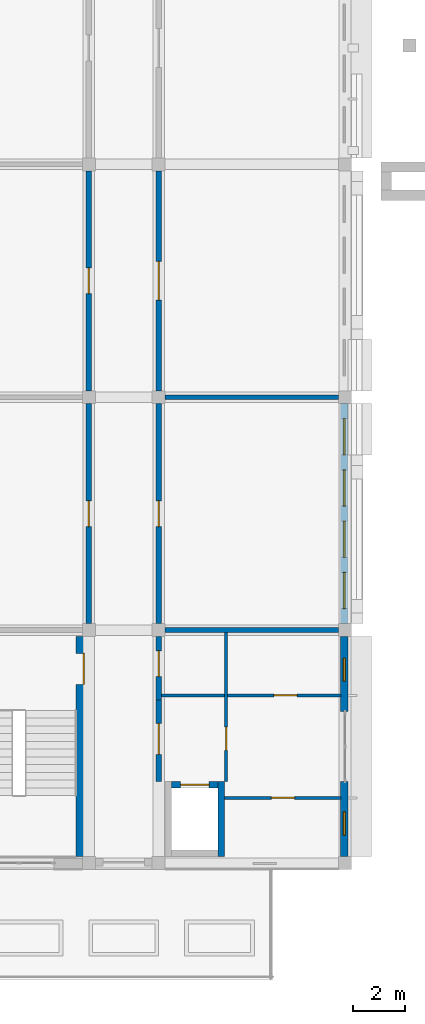
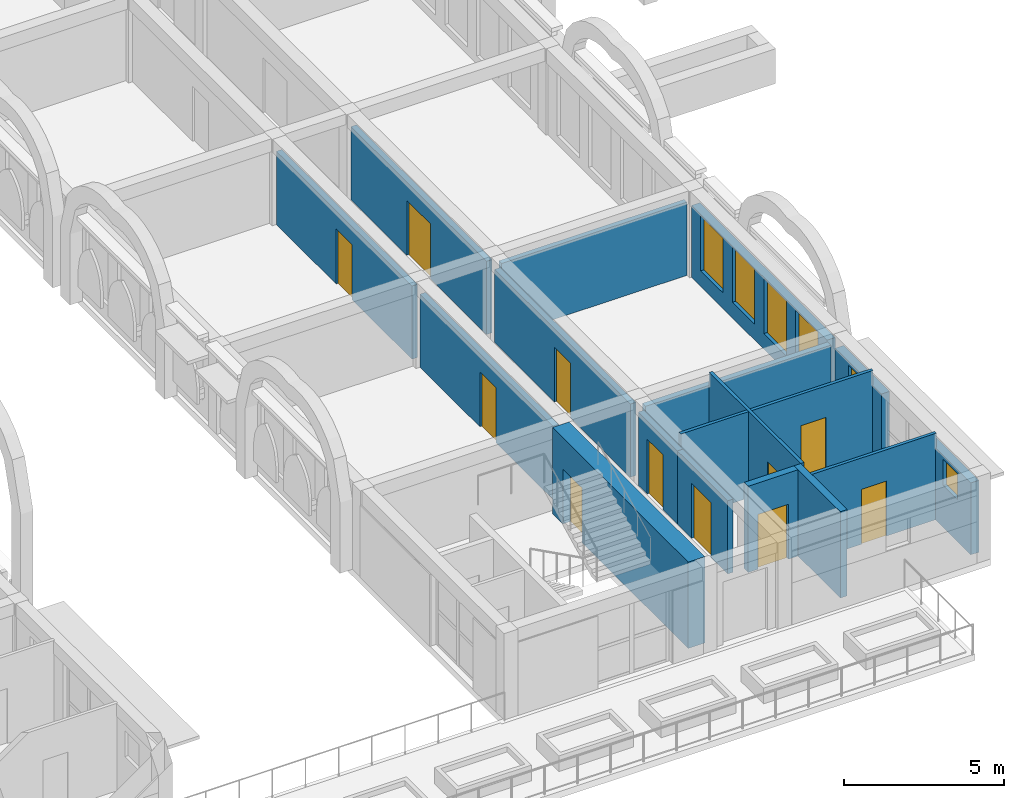
# One storey, part 56 of 82: 17 walls, 11 doors, 6 windows, 17 openings.
"""IFC4 building model written with IfcOpenShell, lengths in metres."""

from ifc_helpers import new_model, si_unit, direction, frame, frame_2d, origin, place, context, subcontext, project, spatial, rectangle, extrude, material, layer, layer_set, type_object, element, fill, save


model = new_model("IFC4")

# Units and contexts
model_context = context("Model", 3, precision=1e-05, world=origin(), true_north=direction((0.0, 1.0)))
body_context = subcontext(model_context, "Body", "Model", "MODEL_VIEW")
ifc_project = project(units=[si_unit("LENGTHUNIT", "METRE"), si_unit("AREAUNIT", "SQUARE_METRE"), si_unit("VOLUMEUNIT", "CUBIC_METRE"), si_unit("PLANEANGLEUNIT", "RADIAN"), si_unit("MASSUNIT", "GRAM", prefix="KILO")], contexts=[model_context])

# Site, building, storey
site_placement = place(None, origin())
site = spatial("IfcSite", under=ifc_project, at=site_placement, CompositionType="ELEMENT")
building_placement = place(site_placement, origin())
building = spatial("IfcBuilding", under=site, at=building_placement, Name="Elbe Cascade School", CompositionType="ELEMENT")
storey_placement = place(building_placement, frame((0.0, 0.0, 4.5)))
storey = spatial("IfcBuildingStorey", under=building, at=storey_placement, Name="L01", CompositionType="ELEMENT", Elevation=4.5)

# Wall
ifc_material_1 = material(Name="Masonry - lime-sand block, plastered", Category="masonry")
ifc_layer_1 = layer(ifc_material_1, 0.175048828125)
ifc_layer_set_1 = layer_set([ifc_layer_1], Name="Masonry - lime-sand block, plastered")
wall_type_1 = type_object("IfcWallType", Name="Bar classroom partition wall lime-sand block 175", PredefinedType="PARTITIONING", material=ifc_layer_set_1)
wall_1_placement = place(storey_placement, frame((167.949951171875, 24.0, 0.0), z_axis=(0.0, 0.0, 1.0), x_axis=(1.0, 0.0, 0.0)))
element("IfcWall", 1, at=wall_1_placement, inside=storey, type_object=wall_type_1, Name="Bar classroom partition wall lime-sand block 175", PredefinedType="PARTITIONING", context=body_context, shape_type="SweptSolid", body=[
    extrude(rectangle(XDim=6.699951171875, YDim=0.175048828125, at=frame_2d((3.35009765625, 0.0))), origin(), (0.0, 0.0, 1.0), 2.800048828125),
])

# Wall, opening, door
ifc_material_2 = material(Name="Masonry - lime-sand block, plastered", Category="masonry")
ifc_layer_2 = layer(ifc_material_2, 0.199951171875)
ifc_layer_set_2 = layer_set([ifc_layer_2], Name="Masonry - lime-sand block, plastered")
wall_type_2 = type_object("IfcWallType", Name="Bar corridor wall lime-sand block 200 EI 30", PredefinedType="PARTITIONING", material=ifc_layer_set_2)
wall_2_placement = place(storey_placement, frame((167.699951171875, 12.300048828125, 0.0), z_axis=(0.0, 0.0, 1.0), x_axis=(0.0, -1.0, 0.0)))
wall_2 = element("IfcWall", 2, at=wall_2_placement, inside=storey, type_object=wall_type_2, Name="Bar corridor wall lime-sand block 200 EI 30", PredefinedType="PARTITIONING", context=body_context, shape_type="SweptSolid", body=[
    extrude(rectangle(XDim=3.150146484375, YDim=0.199951171875, at=frame_2d((1.5751953125, 0.0))), origin(), (0.0, 0.0, 1.0), 2.800048828125),
])
opening_1_placement = place(wall_2_placement, frame((0.89990234375, 0.0, 0.0)))
opening_1 = element("IfcOpeningElement", 3, at=opening_1_placement, cuts=wall_2, Name="Opening D1.088", PredefinedType="OPENING", context=body_context, shape_type="SweptSolid", body=[
    extrude(rectangle(XDim=1.199951171875, YDim=2.10009765625, at=frame_2d((0.60009765625, 1.050048828125))), frame((0.0, 0.10986328125, 0.0), z_axis=(0.0, -1.0, 0.0), x_axis=(1.0, 0.0, 0.0)), (0.0, 0.0, 1.0), 0.219970703125),
])
ifc_material_3 = material(Name="Timber door leaf, fire-resisting and smoke-tight, steel frame", Category="steel")
door_type_1 = type_object("IfcDoorType", Name="Bar door FD30S 1200x2100", OperationType="NOTDEFINED", PredefinedType="DOOR", material=ifc_material_3)
door_1_placement = place(opening_1_placement, origin())
door_1 = element("IfcDoor", 4, at=door_1_placement, inside=storey, type_object=door_type_1, Name="Door D1.06", OperationType="SINGLE_SWING_LEFT", OverallHeight=2.10009765625, OverallWidth=1.199951171875, PredefinedType="DOOR", context=body_context, shape_type="SweptSolid", body=[
    extrude(rectangle(XDim=1.199951171875, YDim=2.10009765625, at=frame_2d((0.60009765625, 1.050048828125))), frame((0.0, 0.02490234375, 0.0), z_axis=(0.0, -1.0, 0.0), x_axis=(1.0, 0.0, 0.0)), (0.0, 0.0, 1.0), 0.050048828125),
])
fill(opening_1, door_1)

wall_3_placement = place(storey_placement, frame((167.699951171875, 12.300048828125, 0.0), z_axis=(0.0, 0.0, 1.0), x_axis=(0.0, 1.0, 0.0)))
wall_3 = element("IfcWall", 5, at=wall_3_placement, inside=storey, type_object=wall_type_2, Name="Bar corridor wall lime-sand block 200 EI 30", PredefinedType="PARTITIONING", context=body_context, shape_type="SweptSolid", body=[
    extrude(rectangle(XDim=2.449951171875, YDim=0.199951171875, at=frame_2d((1.22509765625, 0.0))), origin(), (0.0, 0.0, 1.0), 2.800048828125),
])
opening_2_placement = place(wall_3_placement, frame((0.89990234375, 0.0, 0.0)))
opening_2 = element("IfcOpeningElement", 6, at=opening_2_placement, cuts=wall_3, Name="Opening D1.092", PredefinedType="OPENING", context=body_context, shape_type="SweptSolid", body=[
    extrude(rectangle(XDim=1.0, YDim=2.10009765625, at=frame_2d((0.5, 1.050048828125))), frame((0.0, 0.10986328125, 0.0), z_axis=(0.0, -1.0, 0.0), x_axis=(1.0, 0.0, 0.0)), (0.0, 0.0, 1.0), 0.219970703125),
])
ifc_material_4 = material(Name="Timber door leaf, fire-resisting, steel frame", Category="steel")
door_type_2 = type_object("IfcDoorType", Name="Bar door FD30 1000x2100", OperationType="NOTDEFINED", PredefinedType="DOOR", material=ifc_material_4)
door_2_placement = place(opening_2_placement, origin())
door_2 = element("IfcDoor", 7, at=door_2_placement, inside=storey, type_object=door_type_2, Name="Door D1.10", OperationType="SINGLE_SWING_RIGHT", OverallHeight=2.10009765625, OverallWidth=1.0, PredefinedType="DOOR", context=body_context, shape_type="SweptSolid", body=[
    extrude(rectangle(XDim=1.0, YDim=2.10009765625, at=frame_2d((0.5, 1.050048828125))), frame((0.0, 0.02490234375, 0.0), z_axis=(0.0, -1.0, 0.0), x_axis=(1.0, 0.0, 0.0)), (0.0, 0.0, 1.0), 0.050048828125),
])
fill(opening_2, door_2)

wall_4_placement = place(storey_placement, frame((165.0, 15.25, 0.0), z_axis=(0.0, 0.0, 1.0), x_axis=(0.0, 1.0, 0.0)))
wall_4 = element("IfcWall", 8, at=wall_4_placement, inside=storey, type_object=wall_type_2, Name="Bar corridor wall lime-sand block 200 EI 30", PredefinedType="PARTITIONING", context=body_context, shape_type="SweptSolid", body=[
    extrude(rectangle(XDim=8.5, YDim=0.199951171875, at=frame_2d((4.25, 0.0))), origin(), (0.0, 0.0, 1.0), 2.800048828125),
])
opening_3_placement = place(wall_4_placement, frame((3.75, 0.0, 0.0)))
opening_3 = element("IfcOpeningElement", 9, at=opening_3_placement, cuts=wall_4, Name="Opening D1.093", PredefinedType="OPENING", context=body_context, shape_type="SweptSolid", body=[
    extrude(rectangle(XDim=1.0, YDim=2.10009765625, at=frame_2d((0.5, 1.050048828125))), frame((0.0, 0.10986328125, 0.0), z_axis=(0.0, -1.0, 0.0), x_axis=(1.0, 0.0, 0.0)), (0.0, 0.0, 1.0), 0.219970703125),
])
door_3_placement = place(opening_3_placement, origin())
door_3 = element("IfcDoor", 10, at=door_3_placement, inside=storey, type_object=door_type_2, Name="Door D1.19", OperationType="SINGLE_SWING_RIGHT", OverallHeight=2.10009765625, OverallWidth=1.0, PredefinedType="DOOR", context=body_context, shape_type="SweptSolid", body=[
    extrude(rectangle(XDim=1.0, YDim=2.10009765625, at=frame_2d((0.5, 1.050048828125))), frame((0.0, 0.02490234375, 0.0), z_axis=(0.0, -1.0, 0.0), x_axis=(1.0, 0.0, 0.0)), (0.0, 0.0, 1.0), 0.050048828125),
])
fill(opening_3, door_3)

wall_5_placement = place(storey_placement, frame((165.0, 24.25, 0.0), z_axis=(0.0, 0.0, 1.0), x_axis=(0.0, 1.0, 0.0)))
wall_5 = element("IfcWall", 11, at=wall_5_placement, inside=storey, type_object=wall_type_2, Name="Bar corridor wall lime-sand block 200 EI 30", PredefinedType="PARTITIONING", context=body_context, shape_type="SweptSolid", body=[
    extrude(rectangle(XDim=8.5, YDim=0.199951171875, at=frame_2d((4.25, 0.0))), origin(), (0.0, 0.0, 1.0), 2.800048828125),
])
opening_4_placement = place(wall_5_placement, frame((3.75, 0.0, 0.0)))
opening_4 = element("IfcOpeningElement", 12, at=opening_4_placement, cuts=wall_5, Name="Opening D1.095", PredefinedType="OPENING", context=body_context, shape_type="SweptSolid", body=[
    extrude(rectangle(XDim=1.0, YDim=2.10009765625, at=frame_2d((0.5, 1.050048828125))), frame((0.0, 0.10986328125, 0.0), z_axis=(0.0, -1.0, 0.0), x_axis=(1.0, 0.0, 0.0)), (0.0, 0.0, 1.0), 0.219970703125),
])
door_4_placement = place(opening_4_placement, origin())
door_4 = element("IfcDoor", 13, at=door_4_placement, inside=storey, type_object=door_type_2, Name="Door D1.20", OperationType="SINGLE_SWING_LEFT", OverallHeight=2.10009765625, OverallWidth=1.0, PredefinedType="DOOR", context=body_context, shape_type="SweptSolid", body=[
    extrude(rectangle(XDim=1.0, YDim=2.10009765625, at=frame_2d((0.5, 1.050048828125))), frame((0.0, 0.02490234375, 0.0), z_axis=(0.0, -1.0, 0.0), x_axis=(1.0, 0.0, 0.0)), (0.0, 0.0, 1.0), 0.050048828125),
])
fill(opening_4, door_4)

wall_6_placement = place(storey_placement, frame((167.699951171875, 23.75, 0.0), z_axis=(0.0, 0.0, 1.0), x_axis=(0.0, -1.0, 0.0)))
wall_6 = element("IfcWall", 14, at=wall_6_placement, inside=storey, type_object=wall_type_2, Name="Bar corridor wall lime-sand block 200 EI 30", PredefinedType="PARTITIONING", context=body_context, shape_type="SweptSolid", body=[
    extrude(rectangle(XDim=8.5, YDim=0.199951171875, at=frame_2d((4.25, 0.0))), origin(), (0.0, 0.0, 1.0), 2.800048828125),
])
opening_5_placement = place(wall_6_placement, frame((3.75, 0.0, 0.0)))
opening_5 = element("IfcOpeningElement", 15, at=opening_5_placement, cuts=wall_6, Name="Opening D1.094", PredefinedType="OPENING", context=body_context, shape_type="SweptSolid", body=[
    extrude(rectangle(XDim=1.0, YDim=2.10009765625, at=frame_2d((0.5, 1.050048828125))), frame((0.0, 0.10986328125, 0.0), z_axis=(0.0, -1.0, 0.0), x_axis=(1.0, 0.0, 0.0)), (0.0, 0.0, 1.0), 0.219970703125),
])
door_5_placement = place(opening_5_placement, origin())
door_5 = element("IfcDoor", 16, at=door_5_placement, inside=storey, type_object=door_type_2, Name="Door D1.23", OperationType="SINGLE_SWING_RIGHT", OverallHeight=2.10009765625, OverallWidth=1.0, PredefinedType="DOOR", context=body_context, shape_type="SweptSolid", body=[
    extrude(rectangle(XDim=1.0, YDim=2.10009765625, at=frame_2d((0.5, 1.050048828125))), frame((0.0, 0.02490234375, 0.0), z_axis=(0.0, -1.0, 0.0), x_axis=(1.0, 0.0, 0.0)), (0.0, 0.0, 1.0), 0.050048828125),
])
fill(opening_5, door_5)

wall_7_placement = place(storey_placement, frame((167.699951171875, 32.75, 0.0), z_axis=(0.0, 0.0, 1.0), x_axis=(0.0, -1.0, 0.0)))
wall_7 = element("IfcWall", 17, at=wall_7_placement, inside=storey, type_object=wall_type_2, Name="Bar corridor wall lime-sand block 200 EI 30", PredefinedType="PARTITIONING", context=body_context, shape_type="SweptSolid", body=[
    extrude(rectangle(XDim=8.5, YDim=0.199951171875, at=frame_2d((4.25, 0.0))), origin(), (0.0, 0.0, 1.0), 2.800048828125),
])
opening_6_placement = place(wall_7_placement, frame((3.5, 0.0, 0.0)))
opening_6 = element("IfcOpeningElement", 18, at=opening_6_placement, cuts=wall_7, Name="Opening D1.096", PredefinedType="OPENING", context=body_context, shape_type="SweptSolid", body=[
    extrude(rectangle(XDim=1.5, YDim=2.10009765625, at=frame_2d((0.75, 1.050048828125))), frame((0.0, 0.10986328125, 0.0), z_axis=(0.0, -1.0, 0.0), x_axis=(1.0, 0.0, 0.0)), (0.0, 0.0, 1.0), 0.219970703125),
])
ifc_material_5 = material(Name="Timber door leaves, fire-resisting, steel frame", Category="steel")
door_type_3 = type_object("IfcDoorType", Name="Bar door FD30 1500x2100", OperationType="NOTDEFINED", PredefinedType="DOOR", material=ifc_material_5)
door_6_placement = place(opening_6_placement, origin())
door_6 = element("IfcDoor", 19, at=door_6_placement, inside=storey, type_object=door_type_3, Name="Door D1.24a", OperationType="DOUBLE_DOOR_SINGLE_SWING", OverallHeight=2.10009765625, OverallWidth=1.5, PredefinedType="DOOR", context=body_context, shape_type="SweptSolid", body=[
    extrude(rectangle(XDim=1.5, YDim=2.10009765625, at=frame_2d((0.75, 1.050048828125))), frame((0.0, 0.02490234375, 0.0), z_axis=(0.0, -1.0, 0.0), x_axis=(1.0, 0.0, 0.0)), (0.0, 0.0, 1.0), 0.050048828125),
])
fill(opening_6, door_6)

ifc_material_6 = material(Name="Masonry - lime-sand block, plastered", Category="masonry")
ifc_layer_3 = layer(ifc_material_6, 0.114990234375)
ifc_layer_set_3 = layer_set([ifc_layer_3], Name="Masonry - lime-sand block, plastered")
wall_type_3 = type_object("IfcWallType", Name="Bar light partition wall lime-sand block 115", PredefinedType="PARTITIONING", material=ifc_layer_set_3)
wall_8_placement = place(storey_placement, frame((170.3076171875, 14.89990234375, 0.0), z_axis=(0.0, 0.0, 1.0), x_axis=(0.0, -1.0, 0.0)))
wall_8 = element("IfcWall", 20, at=wall_8_placement, inside=storey, type_object=wall_type_3, Name="Bar light partition wall lime-sand block 115", PredefinedType="PARTITIONING", context=body_context, shape_type="SweptSolid", body=[
    extrude(rectangle(XDim=5.75, YDim=0.114990234375, at=frame_2d((2.875, 0.0))), origin(), (0.0, 0.0, 1.0), 3.300048828125),
])
opening_7_placement = place(wall_8_placement, frame((3.64990234375, 0.0, 0.0)))
opening_7 = element("IfcOpeningElement", 21, at=opening_7_placement, cuts=wall_8, Name="Opening D1.089", PredefinedType="OPENING", context=body_context, shape_type="SweptSolid", body=[
    extrude(rectangle(XDim=0.89990234375, YDim=2.10009765625, at=frame_2d((0.449951171875, 1.050048828125))), frame((0.0, 0.0673828125, 0.0), z_axis=(0.0, -1.0, 0.0), x_axis=(1.0, 0.0, 0.0)), (0.0, 0.0, 1.0), 0.135009765625),
])
ifc_material_7 = material(Name="Timber door leaf, steel frame", Category="steel")
door_type_4 = type_object("IfcDoorType", Name="Bar door 900x2100", OperationType="NOTDEFINED", PredefinedType="DOOR", material=ifc_material_7)
door_7_placement = place(opening_7_placement, origin())
door_7 = element("IfcDoor", 22, at=door_7_placement, inside=storey, type_object=door_type_4, Name="Door D1.07", OperationType="SINGLE_SWING_LEFT", OverallHeight=2.10009765625, OverallWidth=0.89990234375, PredefinedType="DOOR", context=body_context, shape_type="SweptSolid", body=[
    extrude(rectangle(XDim=0.89990234375, YDim=2.10009765625, at=frame_2d((0.449951171875, 1.050048828125))), frame((0.0, 0.02490234375, 0.0), z_axis=(0.0, -1.0, 0.0), x_axis=(1.0, 0.0, 0.0)), (0.0, 0.0, 1.0), 0.050048828125),
])
fill(opening_7, door_7)

wall_9_placement = place(storey_placement, frame((174.75, 8.52001953125, 0.0), z_axis=(0.0, 0.0, 1.0), x_axis=(-1.0, 0.0, 0.0)))
wall_9 = element("IfcWall", 23, at=wall_9_placement, inside=storey, type_object=wall_type_3, Name="Bar light partition wall lime-sand block 115", PredefinedType="PARTITIONING", context=body_context, shape_type="SweptSolid", body=[
    extrude(rectangle(XDim=4.5, YDim=0.114990234375, at=frame_2d((2.25, 0.0))), origin(), (0.0, 0.0, 1.0), 3.300048828125),
])
opening_8_placement = place(wall_9_placement, frame((1.800048828125, 0.0, 0.0)))
opening_8 = element("IfcOpeningElement", 24, at=opening_8_placement, cuts=wall_9, Name="Opening D1.085", PredefinedType="OPENING", context=body_context, shape_type="SweptSolid", body=[
    extrude(rectangle(XDim=0.89990234375, YDim=2.10009765625, at=frame_2d((0.449951171875, 1.050048828125))), frame((0.0, 0.0673828125, 0.0), z_axis=(0.0, -1.0, 0.0), x_axis=(1.0, 0.0, 0.0)), (0.0, 0.0, 1.0), 0.135009765625),
])
door_8_placement = place(opening_8_placement, origin())
door_8 = element("IfcDoor", 25, at=door_8_placement, inside=storey, type_object=door_type_4, Name="Door D1.08", OperationType="SINGLE_SWING_LEFT", OverallHeight=2.10009765625, OverallWidth=0.89990234375, PredefinedType="DOOR", context=body_context, shape_type="SweptSolid", body=[
    extrude(rectangle(XDim=0.89990234375, YDim=2.10009765625, at=frame_2d((0.449951171875, 1.050048828125))), frame((0.0, 0.02490234375, 0.0), z_axis=(0.0, -1.0, 0.0), x_axis=(1.0, 0.0, 0.0)), (0.0, 0.0, 1.0), 0.050048828125),
])
fill(opening_8, door_8)

wall_10_placement = place(storey_placement, frame((167.800048828125, 12.47998046875, 0.0), z_axis=(0.0, 0.0, 1.0), x_axis=(1.0, 0.0, 0.0)))
wall_10 = element("IfcWall", 26, at=wall_10_placement, inside=storey, type_object=wall_type_3, Name="Bar light partition wall lime-sand block 115", PredefinedType="PARTITIONING", context=body_context, shape_type="SweptSolid", body=[
    extrude(rectangle(XDim=6.949951171875, YDim=0.114990234375, at=frame_2d((3.47509765625, 0.0))), origin(), (0.0, 0.0, 1.0), 3.300048828125),
])
opening_9_placement = place(wall_10_placement, frame((4.35009765625, 0.0, 0.0)))
opening_9 = element("IfcOpeningElement", 27, at=opening_9_placement, cuts=wall_10, Name="Opening D1.090", PredefinedType="OPENING", context=body_context, shape_type="SweptSolid", body=[
    extrude(rectangle(XDim=0.89990234375, YDim=2.10009765625, at=frame_2d((0.449951171875, 1.050048828125))), frame((0.0, 0.0673828125, 0.0), z_axis=(0.0, -1.0, 0.0), x_axis=(1.0, 0.0, 0.0)), (0.0, 0.0, 1.0), 0.135009765625),
])
door_9_placement = place(opening_9_placement, origin())
door_9 = element("IfcDoor", 28, at=door_9_placement, inside=storey, type_object=door_type_4, Name="Door D1.09", OperationType="SINGLE_SWING_RIGHT", OverallHeight=2.10009765625, OverallWidth=0.89990234375, PredefinedType="DOOR", context=body_context, shape_type="SweptSolid", body=[
    extrude(rectangle(XDim=0.89990234375, YDim=2.10009765625, at=frame_2d((0.449951171875, 1.050048828125))), frame((0.0, 0.02490234375, 0.0), z_axis=(0.0, -1.0, 0.0), x_axis=(1.0, 0.0, 0.0)), (0.0, 0.0, 1.0), 0.050048828125),
])
fill(opening_9, door_9)

# Wall
ifc_material_8 = material(Name="Masonry - lime-sand block, plastered", Category="masonry")
ifc_layer_4 = layer(ifc_material_8, 0.199951171875)
ifc_layer_set_4 = layer_set([ifc_layer_4], Name="Masonry - lime-sand block, plastered")
wall_type_4 = type_object("IfcWallType", Name="Bar partition wall lime-sand block 200", PredefinedType="PARTITIONING", material=ifc_layer_set_4)
wall_11_placement = place(storey_placement, frame((167.949951171875, 15.0, 0.0), z_axis=(0.0, 0.0, 1.0), x_axis=(1.0, 0.0, 0.0)))
element("IfcWall", 29, at=wall_11_placement, inside=storey, type_object=wall_type_4, Name="Bar partition wall lime-sand block 200", PredefinedType="PARTITIONING", context=body_context, shape_type="SweptSolid", body=[
    extrude(rectangle(XDim=6.699951171875, YDim=0.199951171875, at=frame_2d((3.35009765625, 0.0))), origin(), (0.0, 0.0, 1.0), 2.800048828125),
])

# Wall, opening, door
ifc_material_9 = material(Name="Concrete C30/37", Category="concrete")
ifc_layer_5 = layer(ifc_material_9, 0.60009765625)
ifc_layer_set_5 = layer_set([ifc_layer_5], Name="Concrete C30/37")
wall_type_5 = type_object("IfcWallType", Name="Bar stair core wall RC 600", PredefinedType="SOLIDWALL", material=ifc_layer_set_5)
wall_12_placement = place(storey_placement, frame((164.800048828125, 6.25, 0.0), z_axis=(0.0, 0.0, 1.0), x_axis=(0.0, 1.0, 0.0)))
wall_12 = element("IfcWall", 30, at=wall_12_placement, inside=storey, type_object=wall_type_5, Name="Bar stair core wall RC 600", PredefinedType="SOLIDWALL", context=body_context, shape_type="SweptSolid", body=[
    extrude(rectangle(XDim=8.5, YDim=0.60009765625, at=frame_2d((4.25, 0.0))), origin(), (0.0, 0.0, 1.0), 3.300048828125),
])
opening_10_placement = place(wall_12_placement, frame((6.64990234375, 0.0, 0.0)))
opening_10 = element("IfcOpeningElement", 31, at=opening_10_placement, cuts=wall_12, Name="Opening D1.091", PredefinedType="OPENING", context=body_context, shape_type="SweptSolid", body=[
    extrude(rectangle(XDim=1.199951171875, YDim=2.10009765625, at=frame_2d((0.60009765625, 1.050048828125))), frame((0.0, 0.31005859375, 0.0), z_axis=(0.0, -1.0, 0.0), x_axis=(1.0, 0.0, 0.0)), (0.0, 0.0, 1.0), 0.6201171875),
])
door_10_placement = place(opening_10_placement, origin())
door_10 = element("IfcDoor", 32, at=door_10_placement, inside=storey, type_object=door_type_1, Name="Door D1.03", OperationType="SINGLE_SWING_RIGHT", OverallHeight=2.10009765625, OverallWidth=1.199951171875, PredefinedType="DOOR", context=body_context, shape_type="SweptSolid", body=[
    extrude(rectangle(XDim=1.199951171875, YDim=2.10009765625, at=frame_2d((0.60009765625, 1.050048828125))), frame((0.0, 0.02490234375, 0.0), z_axis=(0.0, -1.0, 0.0), x_axis=(1.0, 0.0, 0.0)), (0.0, 0.0, 1.0), 0.050048828125),
])
fill(opening_10, door_10)

# Wall, opening, window
ifc_material_10 = material(Name="Brick masonry - red clinker, cavity wall with render backing", Category="masonry")
ifc_layer_6 = layer(ifc_material_10, 0.300048828125)
ifc_layer_set_6 = layer_set([ifc_layer_6], Name="Brick masonry - red clinker, cavity wall with render backing")
wall_type_6 = type_object("IfcWallType", Name="Bars envelope External wall - clinker brick cavity, 300 upper floors", PredefinedType="STANDARD", material=ifc_layer_set_6)
wall_13_placement = place(storey_placement, frame((174.8701171875, 9.14990234375, 0.0), z_axis=(0.0, 0.0, 1.0), x_axis=(0.0, -1.0, 0.0)))
wall_13 = element("IfcWall", 33, at=wall_13_placement, inside=storey, type_object=wall_type_6, Name="External wall W30 D.L01.e1a", PredefinedType="STANDARD", context=body_context, shape_type="SweptSolid", body=[
    extrude(rectangle(XDim=2.89990234375, YDim=0.300048828125, at=frame_2d((1.449951171875, 0.0))), origin(), (0.0, 0.0, 1.0), 2.75),
])
opening_11_placement = place(wall_13_placement, frame((1.169921875, 0.0, 1.60009765625)))
opening_11 = element("IfcOpeningElement", 34, at=opening_11_placement, cuts=wall_13, Name="Opening W1.104", PredefinedType="OPENING", context=body_context, shape_type="SweptSolid", body=[
    extrude(rectangle(XDim=0.89990234375, YDim=1.0, at=frame_2d((0.449951171875, 0.5))), frame((0.0, 0.159912109375, 0.0), z_axis=(0.0, -1.0, 0.0), x_axis=(1.0, 0.0, 0.0)), (0.0, 0.0, 1.0), 0.320068359375),
])
ifc_material_11 = material(Name="Aluminium frame with double glazing, bronze anodised", Category="aluminium")
window_type_1 = type_object("IfcWindowType", Name="Bars envelope Window 900 x 1000, WC and service room, high level, aluminium double glazed", PartitioningType="SINGLE_PANEL", PredefinedType="WINDOW", material=ifc_material_11)
window_1_placement = place(opening_11_placement, origin())
window_1 = element("IfcWindow", 35, at=window_1_placement, inside=storey, type_object=window_type_1, Name="Window WN4 D.L01.e1a.1", OverallHeight=1.0, OverallWidth=0.89990234375, PartitioningType="SINGLE_PANEL", PredefinedType="WINDOW", context=body_context, shape_type="SweptSolid", body=[
    extrude(rectangle(XDim=0.89990234375, YDim=1.0, at=frame_2d((0.449951171875, 0.5))), frame((0.0, 0.030029296875, 0.0), z_axis=(0.0, -1.0, 0.0), x_axis=(1.0, 0.0, 0.0)), (0.0, 0.0, 1.0), 0.06005859375),
])
fill(opening_11, window_1)

wall_14_placement = place(storey_placement, frame((174.8701171875, 14.75, 0.0), z_axis=(0.0, 0.0, 1.0), x_axis=(0.0, -1.0, 0.0)))
wall_14 = element("IfcWall", 36, at=wall_14_placement, inside=storey, type_object=wall_type_6, Name="External wall W30 D.L01.e1b", PredefinedType="STANDARD", context=body_context, shape_type="SweptSolid", body=[
    extrude(rectangle(XDim=2.89990234375, YDim=0.300048828125, at=frame_2d((1.449951171875, 0.0))), origin(), (0.0, 0.0, 1.0), 2.75),
])
opening_12_placement = place(wall_14_placement, frame((0.830078125, 0.0, 1.60009765625)))
opening_12 = element("IfcOpeningElement", 37, at=opening_12_placement, cuts=wall_14, Name="Opening W1.105", PredefinedType="OPENING", context=body_context, shape_type="SweptSolid", body=[
    extrude(rectangle(XDim=0.89990234375, YDim=1.0, at=frame_2d((0.449951171875, 0.5))), frame((0.0, 0.159912109375, 0.0), z_axis=(0.0, -1.0, 0.0), x_axis=(1.0, 0.0, 0.0)), (0.0, 0.0, 1.0), 0.320068359375),
])
window_2_placement = place(opening_12_placement, origin())
window_2 = element("IfcWindow", 38, at=window_2_placement, inside=storey, type_object=window_type_1, Name="Window WN4 D.L01.e1b.1", OverallHeight=1.0, OverallWidth=0.89990234375, PartitioningType="SINGLE_PANEL", PredefinedType="WINDOW", context=body_context, shape_type="SweptSolid", body=[
    extrude(rectangle(XDim=0.89990234375, YDim=1.0, at=frame_2d((0.449951171875, 0.5))), frame((0.0, 0.030029296875, 0.0), z_axis=(0.0, -1.0, 0.0), x_axis=(1.0, 0.0, 0.0)), (0.0, 0.0, 1.0), 0.06005859375),
])
fill(opening_12, window_2)

# Wall, openings, windows
wall_15_placement = place(storey_placement, frame((174.8701171875, 23.75, 0.0), z_axis=(0.0, 0.0, 1.0), x_axis=(0.0, -1.0, 0.0)))
wall_15 = element("IfcWall", 39, at=wall_15_placement, inside=storey, type_object=wall_type_6, Name="External wall W30 D.L01.e2", PredefinedType="STANDARD", context=body_context, shape_type="SweptSolid", body=[
    extrude(rectangle(XDim=8.5, YDim=0.300048828125, at=frame_2d((4.25, 0.0))), origin(), (0.0, 0.0, 1.0), 2.75),
])
opening_13_placement = place(wall_15_placement, frame((6.52001953125, 0.0, 0.60009765625)))
opening_13 = element("IfcOpeningElement", 40, at=opening_13_placement, cuts=wall_15, Name="Opening W1.107", PredefinedType="OPENING", context=body_context, shape_type="SweptSolid", body=[
    extrude(rectangle(XDim=1.39990234375, YDim=2.10009765625, at=frame_2d((0.699951171875, 1.050048828125))), frame((0.0, 0.159912109375, 0.0), z_axis=(0.0, -1.0, 0.0), x_axis=(1.0, 0.0, 0.0)), (0.0, 0.0, 1.0), 0.320068359375),
])
opening_14_placement = place(wall_15_placement, frame((4.5400390625, 0.0, 0.60009765625)))
opening_14 = element("IfcOpeningElement", 41, at=opening_14_placement, cuts=wall_15, Name="Opening W1.109", PredefinedType="OPENING", context=body_context, shape_type="SweptSolid", body=[
    extrude(rectangle(XDim=1.39990234375, YDim=2.10009765625, at=frame_2d((0.699951171875, 1.050048828125))), frame((0.0, 0.159912109375, 0.0), z_axis=(0.0, -1.0, 0.0), x_axis=(1.0, 0.0, 0.0)), (0.0, 0.0, 1.0), 0.320068359375),
])
opening_15_placement = place(wall_15_placement, frame((2.56005859375, 0.0, 0.60009765625)))
opening_15 = element("IfcOpeningElement", 42, at=opening_15_placement, cuts=wall_15, Name="Opening W1.111", PredefinedType="OPENING", context=body_context, shape_type="SweptSolid", body=[
    extrude(rectangle(XDim=1.39990234375, YDim=2.10009765625, at=frame_2d((0.699951171875, 1.050048828125))), frame((0.0, 0.159912109375, 0.0), z_axis=(0.0, -1.0, 0.0), x_axis=(1.0, 0.0, 0.0)), (0.0, 0.0, 1.0), 0.320068359375),
])
opening_16_placement = place(wall_15_placement, frame((0.580078125, 0.0, 0.60009765625)))
opening_16 = element("IfcOpeningElement", 43, at=opening_16_placement, cuts=wall_15, Name="Opening W1.113", PredefinedType="OPENING", context=body_context, shape_type="SweptSolid", body=[
    extrude(rectangle(XDim=1.39990234375, YDim=2.10009765625, at=frame_2d((0.699951171875, 1.050048828125))), frame((0.0, 0.159912109375, 0.0), z_axis=(0.0, -1.0, 0.0), x_axis=(1.0, 0.0, 0.0)), (0.0, 0.0, 1.0), 0.320068359375),
])
ifc_material_12 = material(Name="Aluminium frame with double glazing, bronze anodised", Category="aluminium")
window_type_2 = type_object("IfcWindowType", Name="Bars envelope Window 1400 x 2100, classroom, aluminium double glazed", PartitioningType="DOUBLE_PANEL_VERTICAL", PredefinedType="WINDOW", material=ifc_material_12)
window_3_placement = place(opening_13_placement, origin())
window_3 = element("IfcWindow", 44, at=window_3_placement, inside=storey, type_object=window_type_2, Name="Window WN8 D.L01.e2.1", OverallHeight=2.10009765625, OverallWidth=1.39990234375, PartitioningType="DOUBLE_PANEL_VERTICAL", PredefinedType="WINDOW", context=body_context, shape_type="SweptSolid", body=[
    extrude(rectangle(XDim=1.39990234375, YDim=2.10009765625, at=frame_2d((0.699951171875, 1.050048828125))), frame((0.0, 0.030029296875, 0.0), z_axis=(0.0, -1.0, 0.0), x_axis=(1.0, 0.0, 0.0)), (0.0, 0.0, 1.0), 0.06005859375),
])
fill(opening_13, window_3)
window_4_placement = place(opening_14_placement, origin())
window_4 = element("IfcWindow", 45, at=window_4_placement, inside=storey, type_object=window_type_2, Name="Window WN8 D.L01.e2.2", OverallHeight=2.10009765625, OverallWidth=1.39990234375, PartitioningType="DOUBLE_PANEL_VERTICAL", PredefinedType="WINDOW", context=body_context, shape_type="SweptSolid", body=[
    extrude(rectangle(XDim=1.39990234375, YDim=2.10009765625, at=frame_2d((0.699951171875, 1.050048828125))), frame((0.0, 0.030029296875, 0.0), z_axis=(0.0, -1.0, 0.0), x_axis=(1.0, 0.0, 0.0)), (0.0, 0.0, 1.0), 0.06005859375),
])
fill(opening_14, window_4)
window_5_placement = place(opening_15_placement, origin())
window_5 = element("IfcWindow", 46, at=window_5_placement, inside=storey, type_object=window_type_2, Name="Window WN8 D.L01.e2.3", OverallHeight=2.10009765625, OverallWidth=1.39990234375, PartitioningType="DOUBLE_PANEL_VERTICAL", PredefinedType="WINDOW", context=body_context, shape_type="SweptSolid", body=[
    extrude(rectangle(XDim=1.39990234375, YDim=2.10009765625, at=frame_2d((0.699951171875, 1.050048828125))), frame((0.0, 0.030029296875, 0.0), z_axis=(0.0, -1.0, 0.0), x_axis=(1.0, 0.0, 0.0)), (0.0, 0.0, 1.0), 0.06005859375),
])
fill(opening_15, window_5)
window_6_placement = place(opening_16_placement, origin())
window_6 = element("IfcWindow", 47, at=window_6_placement, inside=storey, type_object=window_type_2, Name="Window WN8 D.L01.e2.4", OverallHeight=2.10009765625, OverallWidth=1.39990234375, PartitioningType="DOUBLE_PANEL_VERTICAL", PredefinedType="WINDOW", context=body_context, shape_type="SweptSolid", body=[
    extrude(rectangle(XDim=1.39990234375, YDim=2.10009765625, at=frame_2d((0.699951171875, 1.050048828125))), frame((0.0, 0.030029296875, 0.0), z_axis=(0.0, -1.0, 0.0), x_axis=(1.0, 0.0, 0.0)), (0.0, 0.0, 1.0), 0.06005859375),
])
fill(opening_16, window_6)

# Wall
ifc_material_13 = material(Name="Concrete C30/37", Category="concrete")
ifc_layer_7 = layer(ifc_material_13, 0.25)
ifc_layer_set_7 = layer_set([ifc_layer_7], Name="Concrete C30/37")
wall_type_7 = type_object("IfcWallType", Name="Shaft wall 250", PredefinedType="SHEAR", material=ifc_layer_set_7)
wall_16_placement = place(storey_placement, frame((170.125, 6.25, 0.0), z_axis=(0.0, 0.0, 1.0), x_axis=(0.0, 1.0, 0.0)))
element("IfcWall", 48, at=wall_16_placement, inside=storey, type_object=wall_type_7, Name="Shaft wall 250 W1", PredefinedType="SHEAR", context=body_context, shape_type="SweptSolid", body=[
    extrude(rectangle(XDim=2.89990234375, YDim=0.25, at=frame_2d((1.449951171875, 0.0))), origin(), (0.0, 0.0, 1.0), 3.300048828125),
])

# Wall, opening, door
wall_17_placement = place(storey_placement, frame((168.199951171875, 9.02490234375, 0.0), z_axis=(0.0, 0.0, 1.0), x_axis=(1.0, 0.0, 0.0)))
wall_17 = element("IfcWall", 49, at=wall_17_placement, inside=storey, type_object=wall_type_7, Name="Shaft wall 250 W1", PredefinedType="SHEAR", context=body_context, shape_type="SweptSolid", body=[
    extrude(rectangle(XDim=1.800048828125, YDim=0.25, at=frame_2d((0.89990234375, 0.0))), origin(), (0.0, 0.0, 1.0), 3.300048828125),
])
opening_17_placement = place(wall_17_placement, frame((0.35009765625, 0.0, 0.0)))
opening_17 = element("IfcOpeningElement", 50, at=opening_17_placement, cuts=wall_17, Name="Opening D1.086", PredefinedType="OPENING", context=body_context, shape_type="SweptSolid", body=[
    extrude(rectangle(XDim=1.10009765625, YDim=2.10009765625, at=frame_2d((0.550048828125, 1.050048828125))), frame((0.0, 0.135009765625, 0.0), z_axis=(0.0, -1.0, 0.0), x_axis=(1.0, 0.0, 0.0)), (0.0, 0.0, 1.0), 0.27001953125),
])
ifc_material_14 = material(Name="Stainless steel sliding door leaf", Category="steel")
door_type_5 = type_object("IfcDoorType", Name="Bar lift landing door 1100x2100", OperationType="SLIDING_TO_LEFT", PredefinedType="DOOR", material=ifc_material_14)
door_11_placement = place(opening_17_placement, origin())
door_11 = element("IfcDoor", 51, at=door_11_placement, inside=storey, type_object=door_type_5, Name="Lift landing door LDD1.1", OperationType="SLIDING_TO_LEFT", OverallHeight=2.10009765625, OverallWidth=1.10009765625, PredefinedType="DOOR", context=body_context, shape_type="SweptSolid", body=[
    extrude(rectangle(XDim=1.10009765625, YDim=2.10009765625, at=frame_2d((0.550048828125, 1.050048828125))), frame((0.0, 0.02490234375, 0.0), z_axis=(0.0, -1.0, 0.0), x_axis=(1.0, 0.0, 0.0)), (0.0, 0.0, 1.0), 0.050048828125),
])
fill(opening_17, door_11)

save(model, "model.ifc")
